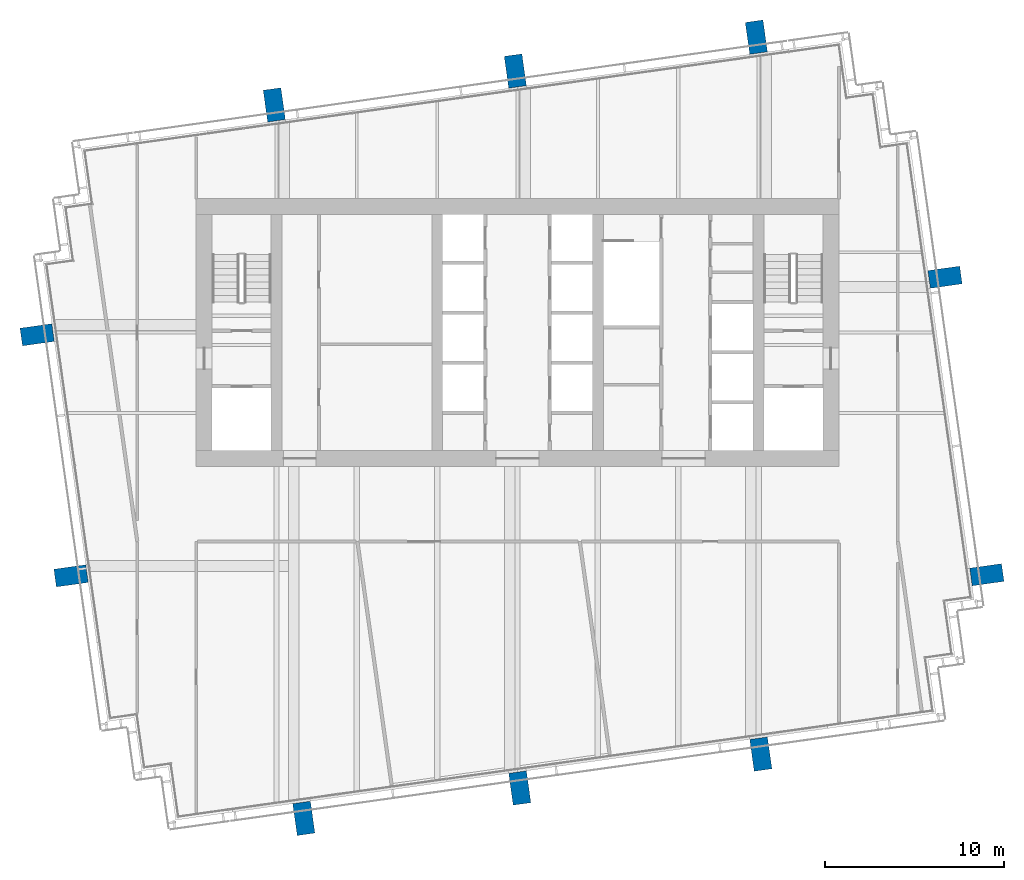
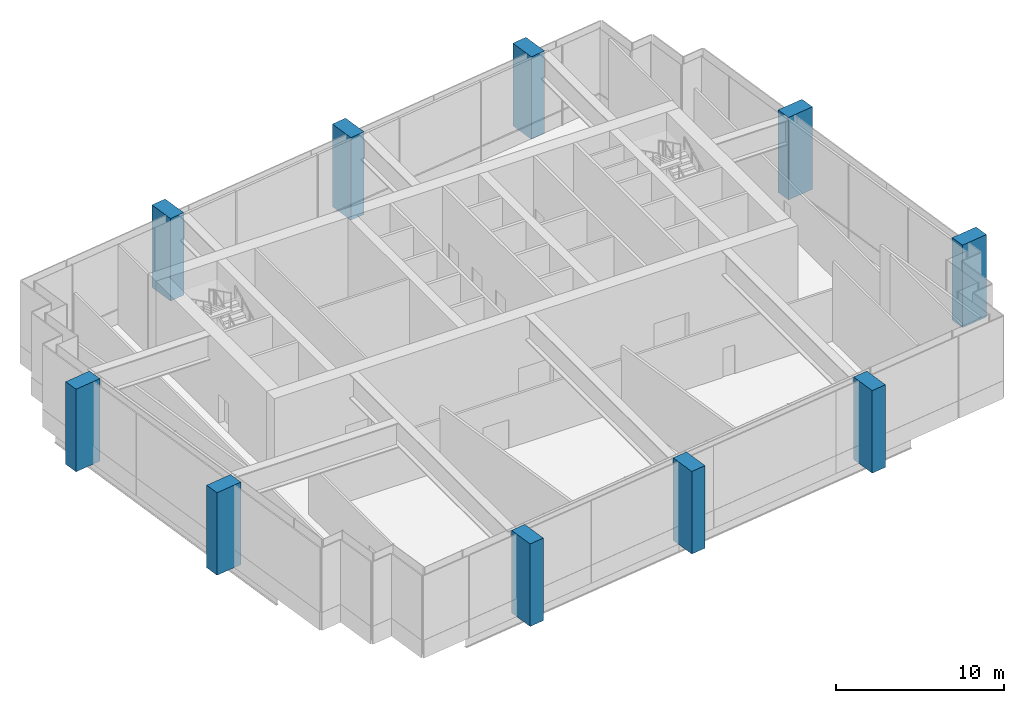
# One storey, part 1 of 25: 10 columns.
"""IFC4 building model written with IfcOpenShell, lengths in metres."""

from ifc_helpers import new_model, si_unit, direction, frame, origin, origin_2d, place, context, subcontext, project, spatial, rectangle, extrude, material, material_profile, profile_set, type_object, element, save


model = new_model("IFC4")

# Units and contexts
model_context = context("Model", 3, precision=1e-05, world=origin(), true_north=direction((0.0, 1.0)))
body_context = subcontext(model_context, "Body", "Model", "MODEL_VIEW")
ifc_project = project(units=[si_unit("LENGTHUNIT", "METRE"), si_unit("AREAUNIT", "SQUARE_METRE"), si_unit("VOLUMEUNIT", "CUBIC_METRE"), si_unit("PLANEANGLEUNIT", "RADIAN"), si_unit("MASSUNIT", "GRAM", prefix="KILO")], contexts=[model_context])

# Site, building, storey
site_placement = place(None, origin())
site = spatial("IfcSite", under=ifc_project, at=site_placement, CompositionType="ELEMENT")
building_placement = place(site_placement, origin())
building = spatial("IfcBuilding", under=site, at=building_placement, Name="Rattan Terrace Tower", CompositionType="ELEMENT")
storey_placement = place(building_placement, frame((0.0, 0.0, 286.300048828125)))
storey = spatial("IfcBuildingStorey", under=building, at=storey_placement, Name="L66", CompositionType="ELEMENT", Elevation=286.300048828125)

# Columns
ifc_material = material(Name="Concrete C40/50", Category="concrete")
ifc_material_profile = material_profile(ifc_material, rectangle(XDim=1.0, YDim=1.800048828125, at=origin_2d()), Name="CFT 1800x1000")
ifc_profile_set = profile_set([ifc_material_profile], Name="Concrete C40/50")
column_type = type_object("IfcColumnType", Name="Frame exoskeleton column CFT 1800x1000", PredefinedType="COLUMN", material=ifc_profile_set)
for number, where, z_axis, x_axis, name in (
    (1, (-11.970947265625, -27.208984375, -0.199951171875), (0.0, 0.0, 1.0), (0.990265639562, 0.139190384377, 0.0), "exo-L66-001"),
    (2, (0.125, -25.508056640625, -0.199951171875), (0.0, 0.0, 1.0), (0.990265639562, 0.139190384377, 0.0), "exo-L66-002"),
    (3, (13.625, -23.610107421875, -0.199951171875), (0.0, 0.0, 1.0), (0.990265639562, 0.139190384377, 0.0), "exo-L66-003"),
    (4, (-25.007080078125, -13.625, -0.199951171875), (0.0, 0.0, 1.0), (-0.139190384377, 0.990265639562, 0.0), "exo-L66-004"),
    (5, (26.283935546875, -13.56494140625, -0.199951171875), (0.0, 0.0, 1.0), (-0.139190384377, 0.990265639562, 0.0), "exo-L66-005"),
    (6, (-26.906005859375, -0.125, -0.199951171875), (0.0, 0.0, 1.0), (-0.139190384377, 0.990265639562, 0.0), "exo-L66-006"),
    (7, (23.94091796875, 3.10009765625, -0.199951171875), (0.0, 0.0, 1.0), (-0.139190384377, 0.990265639562, 0.0), "exo-L66-007"),
    (8, (-13.625, 12.7509765625, -0.199951171875), (0.0, 0.0, 1.0), (0.990265639562, 0.139190384377, 0.0), "exo-L66-008"),
    (9, (-0.125, 14.64794921875, -0.199951171875), (0.0, 0.0, 1.0), (0.990265639562, 0.139190384377, 0.0), "exo-L66-009"),
    (10, (13.375, 16.5458984375, -0.199951171875), (0.0, 0.0, 1.0), (0.990265639562, 0.139190384377, 0.0), "exo-L66-010"),
):
    element("IfcColumn", number, at=place(storey_placement, frame(where, z_axis=z_axis, x_axis=x_axis)), inside=storey, type_object=column_type, Name=name, PredefinedType="COLUMN", context=body_context, shape_type="SweptSolid", body=[
        extrude(rectangle(XDim=1.0, YDim=1.800048828125, at=origin_2d()), origin(), (0.0, 0.0, 1.0), 6.0),
    ])

save(model, "model.ifc")
